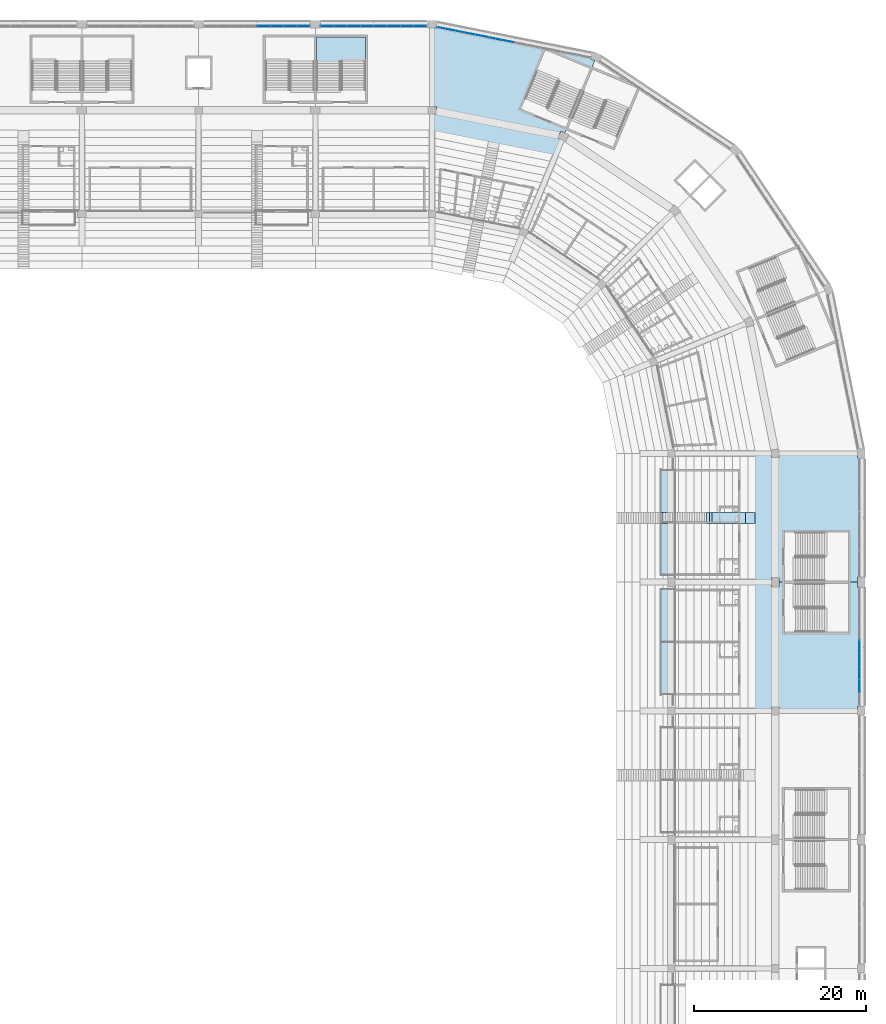
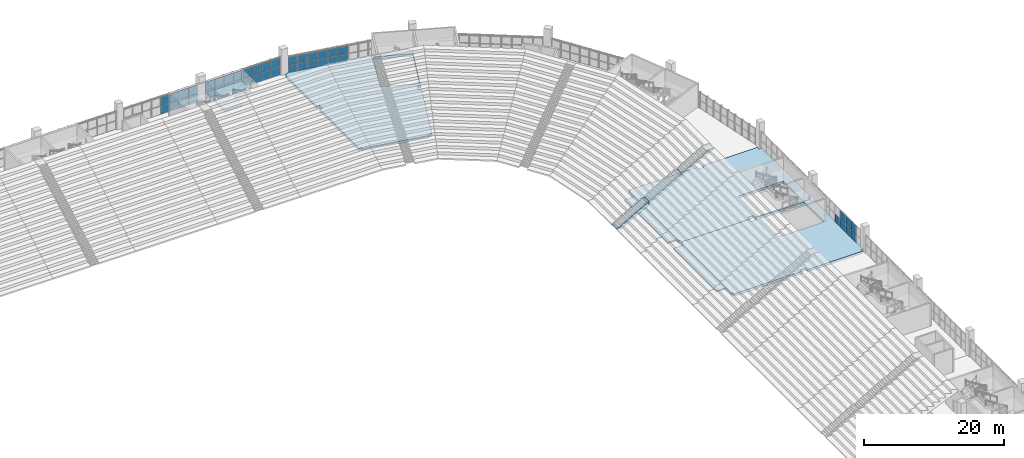
# One storey, part 81 of 249: 43 plates, 9 slabs, 5 elements without a shape of their own.
"""IFC4 building model written with IfcOpenShell, lengths in metres."""

from ifc_helpers import new_model, si_unit, direction, frame, origin, origin_2d, place, context, subcontext, project, spatial, polyline, rectangle, outline, extrude, material, layer, layer_set, type_object, element, aggregate, save


model = new_model("IFC4")

# Units and contexts
model_context = context("Model", 3, precision=1e-05, world=origin(), true_north=direction((0.0, 1.0)))
body_context = subcontext(model_context, "Body", "Model", "MODEL_VIEW")
ifc_project = project(units=[si_unit("LENGTHUNIT", "METRE"), si_unit("AREAUNIT", "SQUARE_METRE"), si_unit("VOLUMEUNIT", "CUBIC_METRE"), si_unit("PLANEANGLEUNIT", "RADIAN"), si_unit("MASSUNIT", "GRAM", prefix="KILO")], contexts=[model_context])

# Site, building, storey
site_placement = place(None, origin())
site = spatial("IfcSite", under=ifc_project, at=site_placement, CompositionType="ELEMENT")
building_placement = place(site_placement, origin())
building = spatial("IfcBuilding", under=site, at=building_placement, Name="Ogive Plaza Stadium", CompositionType="ELEMENT")
storey_placement = place(building_placement, frame((0.0, 0.0, 13.5)))
storey = spatial("IfcBuildingStorey", under=building, at=storey_placement, Name="L03", CompositionType="ELEMENT", Elevation=13.5)

# Slabs
ifc_material_1 = material(Name="Concrete C40/50", Category="concrete")
ifc_layer_1 = layer(ifc_material_1, 0.73486328125)
ifc_layer_set_1 = layer_set([ifc_layer_1], Name="Concrete C40/50")
ifc_layer_2 = layer(ifc_material_1, 0.449951171875)
ifc_layer_set_2 = layer_set([ifc_layer_2], Name="Concrete C40/50")
slab_type_1 = type_object("IfcSlabType", Name="Aisle stair slab 1300", PredefinedType="USERDEFINED", material=ifc_layer_set_2)
slab_1_placement = place(storey_placement, frame((55.5, 45.0, -13.5), z_axis=(0.0, 0.0, 1.0), x_axis=(1.0, 0.0, 0.0)))
element("IfcSlab", 1, at=slab_1_placement, inside=storey, type_object=slab_type_1, material=ifc_layer_set_1, Name="Aisle stair SA01U slab 1", ObjectType="AISLE STAIR SLAB", PredefinedType="USERDEFINED", context=body_context, shape_type="SweptSolid", body=[
    extrude(outline(polyline([(0.0, 14.0), (0.2958984375, 14.0), (5.10009765625, 16.825927734375), (5.39990234375, 16.825927734375), (5.39990234375, 16.300048828125), (5.359375, 16.27734375), (5.209228515625, 16.194091796875), (5.059326171875, 16.110595703125), (4.9091796875, 16.02734375), (4.75927734375, 15.944091796875), (4.609375, 15.860595703125), (4.459228515625, 15.77734375), (4.309326171875, 15.694091796875), (4.1591796875, 15.610595703125), (4.00927734375, 15.52734375), (3.859375, 15.444091796875), (3.709228515625, 15.360595703125), (3.559326171875, 15.27734375), (3.4091796875, 15.194091796875), (3.25927734375, 15.110595703125), (3.109375, 15.02734375), (2.959228515625, 14.944091796875), (2.809326171875, 14.860595703125), (2.6591796875, 14.77734375), (2.50927734375, 14.694091796875), (2.359375, 14.610595703125), (2.209228515625, 14.52734375), (2.059326171875, 14.444091796875), (1.9091796875, 14.360595703125), (1.75927734375, 14.27734375), (1.609375, 14.194091796875), (1.459228515625, 14.110595703125), (1.309326171875, 14.02734375), (1.1591796875, 13.944091796875), (1.00927734375, 13.860595703125), (0.859375, 13.77734375), (0.709228515625, 13.75), (0.559326171875, 13.75), (0.4091796875, 13.75), (0.25927734375, 13.75), (0.109375, 13.75), (0.0, 14.0)])), frame((0.0, 0.64990234375, 0.0), z_axis=(0.0, -1.0, 0.0), x_axis=(1.0, 0.0, 0.0)), (0.0, 0.0, 1.0), 1.300048828125),
])
ifc_layer_3 = layer(ifc_material_1, 0.75927734375)
ifc_layer_set_3 = layer_set([ifc_layer_3], Name="Concrete C40/50")
slab_2_placement = place(storey_placement, frame((60.89990234375, 45.0, -13.5), z_axis=(0.0, 0.0, 1.0), x_axis=(1.0, 0.0, 0.0)))
element("IfcSlab", 2, at=slab_2_placement, inside=storey, type_object=slab_type_1, material=ifc_layer_set_3, Name="Aisle stair SA01U slab 2", ObjectType="AISLE STAIR SLAB", PredefinedType="USERDEFINED", context=body_context, shape_type="SweptSolid", body=[
    extrude(outline(polyline([(0.0, 17.0), (0.2958984375, 17.0), (5.10009765625, 19.825927734375), (5.39990234375, 19.825927734375), (5.39990234375, 19.300048828125), (5.25, 19.216796875), (5.10009765625, 19.13330078125), (4.949951171875, 19.050048828125), (4.800048828125, 18.966796875), (4.64990234375, 18.88330078125), (4.5, 18.800048828125), (4.35009765625, 18.716796875), (4.199951171875, 18.63330078125), (4.050048828125, 18.550048828125), (3.89990234375, 18.466796875), (3.75, 18.38330078125), (3.60009765625, 18.300048828125), (3.449951171875, 18.216796875), (3.300048828125, 18.13330078125), (3.14990234375, 18.050048828125), (3.0, 17.966796875), (2.85009765625, 17.88330078125), (2.699951171875, 17.800048828125), (2.550048828125, 17.716796875), (2.39990234375, 17.63330078125), (2.25, 17.550048828125), (2.10009765625, 17.466796875), (1.949951171875, 17.38330078125), (1.800048828125, 17.300048828125), (1.64990234375, 17.216796875), (1.5, 17.13330078125), (1.35009765625, 17.050048828125), (1.199951171875, 16.966796875), (1.050048828125, 16.88330078125), (0.89990234375, 16.800048828125), (0.75, 16.716796875), (0.60009765625, 16.63330078125), (0.449951171875, 16.550048828125), (0.300048828125, 16.466796875), (0.14990234375, 16.38330078125), (0.0, 16.300048828125), (0.0, 17.0)])), frame((0.0, 0.64990234375, 0.0), z_axis=(0.0, -1.0, 0.0), x_axis=(1.0, 0.0, 0.0)), (0.0, 0.0, 1.0), 1.300048828125),
])
ifc_layer_4 = layer(ifc_material_1, 1.08056640625)
ifc_layer_set_4 = layer_set([ifc_layer_4], Name="Concrete C40/50")
slab_3_placement = place(storey_placement, frame((66.300048828125, 45.0, -13.5), z_axis=(0.0, 0.0, 1.0), x_axis=(1.0, 0.0, 0.0)))
element("IfcSlab", 3, at=slab_3_placement, inside=storey, type_object=slab_type_1, material=ifc_layer_set_4, Name="Aisle stair SA01U slab 3", ObjectType="AISLE STAIR SLAB", PredefinedType="USERDEFINED", context=body_context, shape_type="SweptSolid", body=[
    extrude(outline(polyline([(0.0, 20.0), (0.2958984375, 20.0), (4.25, 22.325927734375), (5.35009765625, 22.325927734375), (5.35009765625, 22.272216796875), (5.25, 22.216796875), (5.10009765625, 22.13330078125), (4.949951171875, 22.050048828125), (4.800048828125, 21.966796875), (4.64990234375, 21.88330078125), (4.5, 21.800048828125), (4.35009765625, 21.716796875), (4.199951171875, 21.63330078125), (4.050048828125, 21.550048828125), (3.89990234375, 21.466796875), (3.75, 21.38330078125), (3.60009765625, 21.300048828125), (3.449951171875, 21.216796875), (3.300048828125, 21.13330078125), (3.14990234375, 21.050048828125), (3.0, 20.966796875), (2.85009765625, 20.88330078125), (2.699951171875, 20.800048828125), (2.550048828125, 20.716796875), (2.39990234375, 20.63330078125), (2.25, 20.550048828125), (2.10009765625, 20.466796875), (1.949951171875, 20.38330078125), (1.800048828125, 20.300048828125), (1.64990234375, 20.216796875), (1.5, 20.13330078125), (1.35009765625, 20.050048828125), (1.199951171875, 19.966796875), (1.050048828125, 19.88330078125), (0.89990234375, 19.800048828125), (0.75, 19.716796875), (0.60009765625, 19.63330078125), (0.449951171875, 19.550048828125), (0.300048828125, 19.466796875), (0.14990234375, 19.38330078125), (0.0, 19.300048828125), (0.0, 20.0)])), frame((0.0, 0.64990234375, 0.0), z_axis=(0.0, -1.0, 0.0), x_axis=(1.0, 0.0, 0.0)), (0.0, 0.0, 1.0), 1.300048828125),
])
ifc_material_2 = material(Name="Concrete C40/50", Category="concrete")
ifc_layer_5 = layer(ifc_material_2, 0.25)
ifc_layer_set_5 = layer_set([ifc_layer_5], Name="Concrete C40/50")
slab_type_2 = type_object("IfcSlabType", Name="Balcony slab 250", PredefinedType="FLOOR", material=ifc_layer_set_5)
slab_4_placement = place(storey_placement, frame((0.0, 0.0, -0.25)))
element("IfcSlab", 4, at=slab_4_placement, inside=storey, type_object=slab_type_2, Name="Suite terrace slab B01", PredefinedType="FLOOR", context=body_context, shape_type="SweptSolid", body=[
    extrude(outline(polyline([(60.5, 38.324951171875), (62.10009765625, 38.324951171875), (62.10009765625, 50.625), (60.5, 50.625), (60.5, 38.324951171875)])), origin(), (0.0, 0.0, 1.0), 0.25),
])
slab_5_placement = place(storey_placement, frame((0.0, 0.0, -0.25)))
element("IfcSlab", 5, at=slab_5_placement, inside=storey, type_object=slab_type_2, Name="Suite terrace slab B02", PredefinedType="FLOOR", context=body_context, shape_type="SweptSolid", body=[
    extrude(outline(polyline([(60.5, 24.375), (62.10009765625, 24.375), (62.10009765625, 36.675048828125), (60.5, 36.675048828125), (60.5, 24.375)])), origin(), (0.0, 0.0, 1.0), 0.25),
])

# Curtain wall, plates
ifc_material_3 = material(Name="Bronze-anodised aluminium with laminated glass", Category="aluminium")
curtain_wall_type = type_object("IfcCurtainWallType", Name="Lancet curtain wall", PredefinedType="NOTDEFINED", material=ifc_material_3)
curtain_wall_1_placement = place(storey_placement, origin())
curtain_wall_1 = element("IfcCurtainWall", 6, at=curtain_wall_1_placement, inside=storey, type_object=curtain_wall_type, Name="CURTAIN WALL B02 L03", PredefinedType="NOTDEFINED")
ifc_material_4 = material(Name="Laminated glass", Category="glass")
ifc_layer_6 = layer(ifc_material_4, 0.028076171875)
ifc_layer_set_6 = layer_set([ifc_layer_6], Name="Laminated glass panel 28")
plate_type = type_object("IfcPlateType", Name="Laminated glass panel 28", PredefinedType="CURTAIN_PANEL", material=ifc_layer_set_6)
plate_1_placement = place(storey_placement, frame((83.800048828125, 30.0, 0.0498046875), z_axis=(0.0, 0.0, 1.0), x_axis=(0.0, -1.0, 0.0)))
plate_1 = element("IfcPlate", 7, at=plate_1_placement, type_object=plate_type, Name="CW-B02-L03 panel 5.1", PredefinedType="CURTAIN_PANEL", context=body_context, shape_type="SweptSolid", body=[
    extrude(rectangle(XDim=1.4833984375, YDim=0.028076171875, at=origin_2d()), origin(), (0.0, 0.0, 1.0), 1.469970703125),
])
plate_2_placement = place(storey_placement, frame((83.800048828125, 28.466552734375, 0.0498046875), z_axis=(0.0, 0.0, 1.0), x_axis=(0.0, -1.0, 0.0)))
plate_2 = element("IfcPlate", 8, at=plate_2_placement, type_object=plate_type, Name="CW-B02-L03 panel 6.1", PredefinedType="CURTAIN_PANEL", context=body_context, shape_type="SweptSolid", body=[
    extrude(rectangle(XDim=1.4833984375, YDim=0.028076171875, at=origin_2d()), origin(), (0.0, 0.0, 1.0), 1.469970703125),
])
plate_3_placement = place(storey_placement, frame((83.800048828125, 28.466552734375, 1.56982421875), z_axis=(0.0, 0.0, 1.0), x_axis=(0.0, -1.0, 0.0)))
plate_3 = element("IfcPlate", 9, at=plate_3_placement, type_object=plate_type, Name="CW-B02-L03 panel 6.2", PredefinedType="CURTAIN_PANEL", context=body_context, shape_type="SweptSolid", body=[
    extrude(rectangle(XDim=1.4833984375, YDim=0.028076171875, at=origin_2d()), origin(), (0.0, 0.0, 1.0), 1.469970703125),
])
plate_4_placement = place(storey_placement, frame((83.800048828125, 26.933349609375, 0.0498046875), z_axis=(0.0, 0.0, 1.0), x_axis=(0.0, -1.0, 0.0)))
plate_4 = element("IfcPlate", 10, at=plate_4_placement, type_object=plate_type, Name="CW-B02-L03 panel 7.1", PredefinedType="CURTAIN_PANEL", context=body_context, shape_type="SweptSolid", body=[
    extrude(rectangle(XDim=1.4833984375, YDim=0.028076171875, at=origin_2d()), origin(), (0.0, 0.0, 1.0), 1.469970703125),
])
plate_5_placement = place(storey_placement, frame((83.800048828125, 26.933349609375, 1.56982421875), z_axis=(0.0, 0.0, 1.0), x_axis=(0.0, -1.0, 0.0)))
plate_5 = element("IfcPlate", 11, at=plate_5_placement, type_object=plate_type, Name="CW-B02-L03 panel 7.2", PredefinedType="CURTAIN_PANEL", context=body_context, shape_type="SweptSolid", body=[
    extrude(rectangle(XDim=1.4833984375, YDim=0.028076171875, at=origin_2d()), origin(), (0.0, 0.0, 1.0), 1.469970703125),
])
plate_6_placement = place(storey_placement, frame((83.800048828125, 25.39990234375, 0.0498046875), z_axis=(0.0, 0.0, 1.0), x_axis=(0.0, -1.0, 0.0)))
plate_6 = element("IfcPlate", 12, at=plate_6_placement, type_object=plate_type, Name="CW-B02-L03 panel 8.1", PredefinedType="CURTAIN_PANEL", context=body_context, shape_type="SweptSolid", body=[
    extrude(rectangle(XDim=1.4833984375, YDim=0.028076171875, at=origin_2d()), origin(), (0.0, 0.0, 1.0), 1.469970703125),
])
plate_7_placement = place(storey_placement, frame((83.800048828125, 25.39990234375, 1.56982421875), z_axis=(0.0, 0.0, 1.0), x_axis=(0.0, -1.0, 0.0)))
plate_7 = element("IfcPlate", 13, at=plate_7_placement, type_object=plate_type, Name="CW-B02-L03 panel 8.2", PredefinedType="CURTAIN_PANEL", context=body_context, shape_type="SweptSolid", body=[
    extrude(rectangle(XDim=1.4833984375, YDim=0.028076171875, at=origin_2d()), origin(), (0.0, 0.0, 1.0), 1.469970703125),
])
aggregate(curtain_wall_1, [plate_1, plate_2, plate_3, plate_4, plate_5, plate_6, plate_7])

curtain_wall_2_placement = place(storey_placement, origin())
curtain_wall_2 = element("IfcCurtainWall", 14, at=curtain_wall_2_placement, inside=storey, type_object=curtain_wall_type, Name="CURTAIN WALL B35 L03", PredefinedType="NOTDEFINED")
plate_8_placement = place(storey_placement, frame((14.375, 102.300048828125, 0.0498046875), z_axis=(0.0, 0.0, 1.0), x_axis=(1.0, 0.0, 0.0)))
plate_8 = element("IfcPlate", 15, at=plate_8_placement, type_object=plate_type, Name="CW-B35-L03 panel 5.1", PredefinedType="CURTAIN_PANEL", context=body_context, shape_type="SweptSolid", body=[
    extrude(rectangle(XDim=1.5, YDim=0.028076171875, at=origin_2d()), origin(), (0.0, 0.0, 1.0), 1.469970703125),
])
plate_9_placement = place(storey_placement, frame((14.375, 102.300048828125, 1.56982421875), z_axis=(0.0, 0.0, 1.0), x_axis=(1.0, 0.0, 0.0)))
plate_9 = element("IfcPlate", 16, at=plate_9_placement, type_object=plate_type, Name="CW-B35-L03 panel 5.2", PredefinedType="CURTAIN_PANEL", context=body_context, shape_type="SweptSolid", body=[
    extrude(rectangle(XDim=1.5, YDim=0.028076171875, at=origin_2d()), origin(), (0.0, 0.0, 1.0), 1.469970703125),
])
plate_10_placement = place(storey_placement, frame((15.925048828125, 102.300048828125, 0.0498046875), z_axis=(0.0, 0.0, 1.0), x_axis=(1.0, 0.0, 0.0)))
plate_10 = element("IfcPlate", 17, at=plate_10_placement, type_object=plate_type, Name="CW-B35-L03 panel 6.1", PredefinedType="CURTAIN_PANEL", context=body_context, shape_type="SweptSolid", body=[
    extrude(rectangle(XDim=1.5, YDim=0.028076171875, at=origin_2d()), origin(), (0.0, 0.0, 1.0), 1.469970703125),
])
plate_11_placement = place(storey_placement, frame((15.925048828125, 102.300048828125, 1.56982421875), z_axis=(0.0, 0.0, 1.0), x_axis=(1.0, 0.0, 0.0)))
plate_11 = element("IfcPlate", 18, at=plate_11_placement, type_object=plate_type, Name="CW-B35-L03 panel 6.2", PredefinedType="CURTAIN_PANEL", context=body_context, shape_type="SweptSolid", body=[
    extrude(rectangle(XDim=1.5, YDim=0.028076171875, at=origin_2d()), origin(), (0.0, 0.0, 1.0), 1.469970703125),
])
plate_12_placement = place(storey_placement, frame((17.47509765625, 102.300048828125, 0.0498046875), z_axis=(0.0, 0.0, 1.0), x_axis=(1.0, 0.0, 0.0)))
plate_12 = element("IfcPlate", 19, at=plate_12_placement, type_object=plate_type, Name="CW-B35-L03 panel 7.1", PredefinedType="CURTAIN_PANEL", context=body_context, shape_type="SweptSolid", body=[
    extrude(rectangle(XDim=1.5, YDim=0.028076171875, at=origin_2d()), origin(), (0.0, 0.0, 1.0), 1.469970703125),
])
plate_13_placement = place(storey_placement, frame((17.47509765625, 102.300048828125, 1.56982421875), z_axis=(0.0, 0.0, 1.0), x_axis=(1.0, 0.0, 0.0)))
plate_13 = element("IfcPlate", 20, at=plate_13_placement, type_object=plate_type, Name="CW-B35-L03 panel 7.2", PredefinedType="CURTAIN_PANEL", context=body_context, shape_type="SweptSolid", body=[
    extrude(rectangle(XDim=1.5, YDim=0.028076171875, at=origin_2d()), origin(), (0.0, 0.0, 1.0), 1.469970703125),
])
plate_14_placement = place(storey_placement, frame((19.012451171875, 102.300048828125, 0.0498046875), z_axis=(0.0, 0.0, 1.0), x_axis=(1.0, 0.0, 0.0)))
plate_14 = element("IfcPlate", 21, at=plate_14_placement, type_object=plate_type, Name="CW-B35-L03 panel 8.1", PredefinedType="CURTAIN_PANEL", context=body_context, shape_type="SweptSolid", body=[
    extrude(rectangle(XDim=1.47509765625, YDim=0.028076171875, at=origin_2d()), origin(), (0.0, 0.0, 1.0), 1.469970703125),
])
plate_15_placement = place(storey_placement, frame((19.012451171875, 102.300048828125, 1.56982421875), z_axis=(0.0, 0.0, 1.0), x_axis=(1.0, 0.0, 0.0)))
plate_15 = element("IfcPlate", 22, at=plate_15_placement, type_object=plate_type, Name="CW-B35-L03 panel 8.2", PredefinedType="CURTAIN_PANEL", context=body_context, shape_type="SweptSolid", body=[
    extrude(rectangle(XDim=1.47509765625, YDim=0.028076171875, at=origin_2d()), origin(), (0.0, 0.0, 1.0), 1.469970703125),
])
aggregate(curtain_wall_2, [plate_8, plate_9, plate_10, plate_11, plate_12, plate_13, plate_14, plate_15])

curtain_wall_3_placement = place(storey_placement, origin())
curtain_wall_3 = element("IfcCurtainWall", 23, at=curtain_wall_3_placement, inside=storey, type_object=curtain_wall_type, Name="CURTAIN WALL B36 L03", PredefinedType="NOTDEFINED")
plate_16_placement = place(storey_placement, frame((21.78759765625, 102.300048828125, 0.0498046875), z_axis=(0.0, 0.0, 1.0), x_axis=(1.0, 0.0, 0.0)))
plate_16 = element("IfcPlate", 24, at=plate_16_placement, type_object=plate_type, Name="CW-B36-L03 panel 1.1", PredefinedType="CURTAIN_PANEL", context=body_context, shape_type="SweptSolid", body=[
    extrude(rectangle(XDim=1.47509765625, YDim=0.028076171875, at=origin_2d()), origin(), (0.0, 0.0, 1.0), 1.469970703125),
])
plate_17_placement = place(storey_placement, frame((21.78759765625, 102.300048828125, 1.56982421875), z_axis=(0.0, 0.0, 1.0), x_axis=(1.0, 0.0, 0.0)))
plate_17 = element("IfcPlate", 25, at=plate_17_placement, type_object=plate_type, Name="CW-B36-L03 panel 1.2", PredefinedType="CURTAIN_PANEL", context=body_context, shape_type="SweptSolid", body=[
    extrude(rectangle(XDim=1.47509765625, YDim=0.028076171875, at=origin_2d()), origin(), (0.0, 0.0, 1.0), 1.469970703125),
])
plate_18_placement = place(storey_placement, frame((23.324951171875, 102.300048828125, 0.0498046875), z_axis=(0.0, 0.0, 1.0), x_axis=(1.0, 0.0, 0.0)))
plate_18 = element("IfcPlate", 26, at=plate_18_placement, type_object=plate_type, Name="CW-B36-L03 panel 2.1", PredefinedType="CURTAIN_PANEL", context=body_context, shape_type="SweptSolid", body=[
    extrude(rectangle(XDim=1.5, YDim=0.028076171875, at=origin_2d()), origin(), (0.0, 0.0, 1.0), 1.469970703125),
])
plate_19_placement = place(storey_placement, frame((23.324951171875, 102.300048828125, 1.56982421875), z_axis=(0.0, 0.0, 1.0), x_axis=(1.0, 0.0, 0.0)))
plate_19 = element("IfcPlate", 27, at=plate_19_placement, type_object=plate_type, Name="CW-B36-L03 panel 2.2", PredefinedType="CURTAIN_PANEL", context=body_context, shape_type="SweptSolid", body=[
    extrude(rectangle(XDim=1.5, YDim=0.028076171875, at=origin_2d()), origin(), (0.0, 0.0, 1.0), 1.469970703125),
])
plate_20_placement = place(storey_placement, frame((24.875, 102.300048828125, 0.0498046875), z_axis=(0.0, 0.0, 1.0), x_axis=(1.0, 0.0, 0.0)))
plate_20 = element("IfcPlate", 28, at=plate_20_placement, type_object=plate_type, Name="CW-B36-L03 panel 3.1", PredefinedType="CURTAIN_PANEL", context=body_context, shape_type="SweptSolid", body=[
    extrude(rectangle(XDim=1.5, YDim=0.028076171875, at=origin_2d()), origin(), (0.0, 0.0, 1.0), 1.469970703125),
])
plate_21_placement = place(storey_placement, frame((24.875, 102.300048828125, 1.56982421875), z_axis=(0.0, 0.0, 1.0), x_axis=(1.0, 0.0, 0.0)))
plate_21 = element("IfcPlate", 29, at=plate_21_placement, type_object=plate_type, Name="CW-B36-L03 panel 3.2", PredefinedType="CURTAIN_PANEL", context=body_context, shape_type="SweptSolid", body=[
    extrude(rectangle(XDim=1.5, YDim=0.028076171875, at=origin_2d()), origin(), (0.0, 0.0, 1.0), 1.469970703125),
])
plate_22_placement = place(storey_placement, frame((26.425048828125, 102.300048828125, 0.0498046875), z_axis=(0.0, 0.0, 1.0), x_axis=(1.0, 0.0, 0.0)))
plate_22 = element("IfcPlate", 30, at=plate_22_placement, type_object=plate_type, Name="CW-B36-L03 panel 4.1", PredefinedType="CURTAIN_PANEL", context=body_context, shape_type="SweptSolid", body=[
    extrude(rectangle(XDim=1.5, YDim=0.028076171875, at=origin_2d()), origin(), (0.0, 0.0, 1.0), 1.469970703125),
])
plate_23_placement = place(storey_placement, frame((26.425048828125, 102.300048828125, 1.56982421875), z_axis=(0.0, 0.0, 1.0), x_axis=(1.0, 0.0, 0.0)))
plate_23 = element("IfcPlate", 31, at=plate_23_placement, type_object=plate_type, Name="CW-B36-L03 panel 4.2", PredefinedType="CURTAIN_PANEL", context=body_context, shape_type="SweptSolid", body=[
    extrude(rectangle(XDim=1.5, YDim=0.028076171875, at=origin_2d()), origin(), (0.0, 0.0, 1.0), 1.469970703125),
])
plate_24_placement = place(storey_placement, frame((27.97509765625, 102.300048828125, 0.0498046875), z_axis=(0.0, 0.0, 1.0), x_axis=(1.0, 0.0, 0.0)))
plate_24 = element("IfcPlate", 32, at=plate_24_placement, type_object=plate_type, Name="CW-B36-L03 panel 5.1", PredefinedType="CURTAIN_PANEL", context=body_context, shape_type="SweptSolid", body=[
    extrude(rectangle(XDim=1.5, YDim=0.028076171875, at=origin_2d()), origin(), (0.0, 0.0, 1.0), 1.469970703125),
])
plate_25_placement = place(storey_placement, frame((27.97509765625, 102.300048828125, 1.56982421875), z_axis=(0.0, 0.0, 1.0), x_axis=(1.0, 0.0, 0.0)))
plate_25 = element("IfcPlate", 33, at=plate_25_placement, type_object=plate_type, Name="CW-B36-L03 panel 5.2", PredefinedType="CURTAIN_PANEL", context=body_context, shape_type="SweptSolid", body=[
    extrude(rectangle(XDim=1.5, YDim=0.028076171875, at=origin_2d()), origin(), (0.0, 0.0, 1.0), 1.469970703125),
])
plate_26_placement = place(storey_placement, frame((29.52490234375, 102.300048828125, 0.0498046875), z_axis=(0.0, 0.0, 1.0), x_axis=(1.0, 0.0, 0.0)))
plate_26 = element("IfcPlate", 34, at=plate_26_placement, type_object=plate_type, Name="CW-B36-L03 panel 6.1", PredefinedType="CURTAIN_PANEL", context=body_context, shape_type="SweptSolid", body=[
    extrude(rectangle(XDim=1.5, YDim=0.028076171875, at=origin_2d()), origin(), (0.0, 0.0, 1.0), 1.469970703125),
])
plate_27_placement = place(storey_placement, frame((29.52490234375, 102.300048828125, 1.56982421875), z_axis=(0.0, 0.0, 1.0), x_axis=(1.0, 0.0, 0.0)))
plate_27 = element("IfcPlate", 35, at=plate_27_placement, type_object=plate_type, Name="CW-B36-L03 panel 6.2", PredefinedType="CURTAIN_PANEL", context=body_context, shape_type="SweptSolid", body=[
    extrude(rectangle(XDim=1.5, YDim=0.028076171875, at=origin_2d()), origin(), (0.0, 0.0, 1.0), 1.469970703125),
])
plate_28_placement = place(storey_placement, frame((31.074951171875, 102.300048828125, 0.0498046875), z_axis=(0.0, 0.0, 1.0), x_axis=(1.0, 0.0, 0.0)))
plate_28 = element("IfcPlate", 36, at=plate_28_placement, type_object=plate_type, Name="CW-B36-L03 panel 7.1", PredefinedType="CURTAIN_PANEL", context=body_context, shape_type="SweptSolid", body=[
    extrude(rectangle(XDim=1.5, YDim=0.028076171875, at=origin_2d()), origin(), (0.0, 0.0, 1.0), 1.469970703125),
])
plate_29_placement = place(storey_placement, frame((31.074951171875, 102.300048828125, 1.56982421875), z_axis=(0.0, 0.0, 1.0), x_axis=(1.0, 0.0, 0.0)))
plate_29 = element("IfcPlate", 37, at=plate_29_placement, type_object=plate_type, Name="CW-B36-L03 panel 7.2", PredefinedType="CURTAIN_PANEL", context=body_context, shape_type="SweptSolid", body=[
    extrude(rectangle(XDim=1.5, YDim=0.028076171875, at=origin_2d()), origin(), (0.0, 0.0, 1.0), 1.469970703125),
])
plate_30_placement = place(storey_placement, frame((32.612548828125, 102.300048828125, 0.0498046875), z_axis=(0.0, 0.0, 1.0), x_axis=(1.0, 0.0, 0.0)))
plate_30 = element("IfcPlate", 38, at=plate_30_placement, type_object=plate_type, Name="CW-B36-L03 panel 8.1", PredefinedType="CURTAIN_PANEL", context=body_context, shape_type="SweptSolid", body=[
    extrude(rectangle(XDim=1.47509765625, YDim=0.028076171875, at=origin_2d()), origin(), (0.0, 0.0, 1.0), 1.469970703125),
])
plate_31_placement = place(storey_placement, frame((32.612548828125, 102.300048828125, 1.56982421875), z_axis=(0.0, 0.0, 1.0), x_axis=(1.0, 0.0, 0.0)))
plate_31 = element("IfcPlate", 39, at=plate_31_placement, type_object=plate_type, Name="CW-B36-L03 panel 8.2", PredefinedType="CURTAIN_PANEL", context=body_context, shape_type="SweptSolid", body=[
    extrude(rectangle(XDim=1.47509765625, YDim=0.028076171875, at=origin_2d()), origin(), (0.0, 0.0, 1.0), 1.469970703125),
])
aggregate(curtain_wall_3, [plate_16, plate_17, plate_18, plate_19, plate_20, plate_21, plate_22, plate_23, plate_24, plate_25, plate_26, plate_27, plate_28, plate_29, plate_30, plate_31])

curtain_wall_4_placement = place(storey_placement, origin())
curtain_wall_4 = element("IfcCurtainWall", 40, at=curtain_wall_4_placement, inside=storey, type_object=curtain_wall_type, Name="CURTAIN WALL B37 L03", PredefinedType="NOTDEFINED")
plate_32_placement = place(storey_placement, frame((35.328369140625, 102.031982421875, 0.0498046875), z_axis=(0.0, 0.0, 1.0), x_axis=(0.9807852804, -0.195090322033, 0.0)))
plate_32 = element("IfcPlate", 41, at=plate_32_placement, type_object=plate_type, Name="CW-B37-L03 panel 1.1", PredefinedType="CURTAIN_PANEL", context=body_context, shape_type="SweptSolid", body=[
    extrude(rectangle(XDim=1.447265625, YDim=0.028076171875, at=origin_2d()), origin(), (0.0, 0.0, 1.0), 1.320068359375),
])
plate_33_placement = place(storey_placement, frame((35.328369140625, 102.031982421875, 1.419921875), z_axis=(0.0, 0.0, 1.0), x_axis=(0.9807852804, -0.195090322033, 0.0)))
plate_33 = element("IfcPlate", 42, at=plate_33_placement, type_object=plate_type, Name="CW-B37-L03 panel 1.2", PredefinedType="CURTAIN_PANEL", context=body_context, shape_type="SweptSolid", body=[
    extrude(rectangle(XDim=1.447265625, YDim=0.028076171875, at=origin_2d()), origin(), (0.0, 0.0, 1.0), 1.320068359375),
])
plate_34_placement = place(storey_placement, frame((36.80908203125, 101.7373046875, 0.0498046875), z_axis=(0.0, 0.0, 1.0), x_axis=(0.9807852804, -0.195090322033, 0.0)))
plate_34 = element("IfcPlate", 43, at=plate_34_placement, type_object=plate_type, Name="CW-B37-L03 panel 2.1", PredefinedType="CURTAIN_PANEL", context=body_context, shape_type="SweptSolid", body=[
    extrude(rectangle(XDim=1.472412109375, YDim=0.028076171875, at=origin_2d()), origin(), (0.0, 0.0, 1.0), 1.320068359375),
])
plate_35_placement = place(storey_placement, frame((36.80908203125, 101.7373046875, 1.419921875), z_axis=(0.0, 0.0, 1.0), x_axis=(0.9807852804, -0.195090322033, 0.0)))
plate_35 = element("IfcPlate", 44, at=plate_35_placement, type_object=plate_type, Name="CW-B37-L03 panel 2.2", PredefinedType="CURTAIN_PANEL", context=body_context, shape_type="SweptSolid", body=[
    extrude(rectangle(XDim=1.472412109375, YDim=0.028076171875, at=origin_2d()), origin(), (0.0, 0.0, 1.0), 1.320068359375),
])
plate_36_placement = place(storey_placement, frame((38.30224609375, 101.4404296875, 0.0498046875), z_axis=(0.0, 0.0, 1.0), x_axis=(0.9807852804, -0.195090322033, 0.0)))
plate_36 = element("IfcPlate", 45, at=plate_36_placement, type_object=plate_type, Name="CW-B37-L03 panel 3.1", PredefinedType="CURTAIN_PANEL", context=body_context, shape_type="SweptSolid", body=[
    extrude(rectangle(XDim=1.472412109375, YDim=0.028076171875, at=origin_2d()), origin(), (0.0, 0.0, 1.0), 1.320068359375),
])
plate_37_placement = place(storey_placement, frame((38.30224609375, 101.4404296875, 1.419921875), z_axis=(0.0, 0.0, 1.0), x_axis=(0.9807852804, -0.195090322033, 0.0)))
plate_37 = element("IfcPlate", 46, at=plate_37_placement, type_object=plate_type, Name="CW-B37-L03 panel 3.2", PredefinedType="CURTAIN_PANEL", context=body_context, shape_type="SweptSolid", body=[
    extrude(rectangle(XDim=1.472412109375, YDim=0.028076171875, at=origin_2d()), origin(), (0.0, 0.0, 1.0), 1.320068359375),
])
plate_38_placement = place(storey_placement, frame((39.79541015625, 101.143310546875, 0.0498046875), z_axis=(0.0, 0.0, 1.0), x_axis=(0.9807852804, -0.195090322033, 0.0)))
plate_38 = element("IfcPlate", 47, at=plate_38_placement, type_object=plate_type, Name="CW-B37-L03 panel 4.1", PredefinedType="CURTAIN_PANEL", context=body_context, shape_type="SweptSolid", body=[
    extrude(rectangle(XDim=1.472412109375, YDim=0.028076171875, at=origin_2d()), origin(), (0.0, 0.0, 1.0), 1.320068359375),
])
plate_39_placement = place(storey_placement, frame((39.79541015625, 101.143310546875, 1.419921875), z_axis=(0.0, 0.0, 1.0), x_axis=(0.9807852804, -0.195090322033, 0.0)))
plate_39 = element("IfcPlate", 48, at=plate_39_placement, type_object=plate_type, Name="CW-B37-L03 panel 4.2", PredefinedType="CURTAIN_PANEL", context=body_context, shape_type="SweptSolid", body=[
    extrude(rectangle(XDim=1.472412109375, YDim=0.028076171875, at=origin_2d()), origin(), (0.0, 0.0, 1.0), 1.320068359375),
])
plate_40_placement = place(storey_placement, frame((41.288330078125, 100.846435546875, 0.0498046875), z_axis=(0.0, 0.0, 1.0), x_axis=(0.9807852804, -0.195090322033, 0.0)))
plate_40 = element("IfcPlate", 49, at=plate_40_placement, type_object=plate_type, Name="CW-B37-L03 panel 5.1", PredefinedType="CURTAIN_PANEL", context=body_context, shape_type="SweptSolid", body=[
    extrude(rectangle(XDim=1.472412109375, YDim=0.028076171875, at=origin_2d()), origin(), (0.0, 0.0, 1.0), 1.320068359375),
])
plate_41_placement = place(storey_placement, frame((41.288330078125, 100.846435546875, 1.419921875), z_axis=(0.0, 0.0, 1.0), x_axis=(0.9807852804, -0.195090322033, 0.0)))
plate_41 = element("IfcPlate", 50, at=plate_41_placement, type_object=plate_type, Name="CW-B37-L03 panel 5.2", PredefinedType="CURTAIN_PANEL", context=body_context, shape_type="SweptSolid", body=[
    extrude(rectangle(XDim=1.472412109375, YDim=0.028076171875, at=origin_2d()), origin(), (0.0, 0.0, 1.0), 1.320068359375),
])
plate_42_placement = place(storey_placement, frame((42.781494140625, 100.54931640625, 0.0498046875), z_axis=(0.0, 0.0, 1.0), x_axis=(0.9807852804, -0.195090322033, 0.0)))
plate_42 = element("IfcPlate", 51, at=plate_42_placement, type_object=plate_type, Name="CW-B37-L03 panel 6.1", PredefinedType="CURTAIN_PANEL", context=body_context, shape_type="SweptSolid", body=[
    extrude(rectangle(XDim=1.472412109375, YDim=0.028076171875, at=origin_2d()), origin(), (0.0, 0.0, 1.0), 1.320068359375),
])
plate_43_placement = place(storey_placement, frame((42.781494140625, 100.54931640625, 1.419921875), z_axis=(0.0, 0.0, 1.0), x_axis=(0.9807852804, -0.195090322033, 0.0)))
plate_43 = element("IfcPlate", 52, at=plate_43_placement, type_object=plate_type, Name="CW-B37-L03 panel 6.2", PredefinedType="CURTAIN_PANEL", context=body_context, shape_type="SweptSolid", body=[
    extrude(rectangle(XDim=1.472412109375, YDim=0.028076171875, at=origin_2d()), origin(), (0.0, 0.0, 1.0), 1.320068359375),
])
aggregate(curtain_wall_4, [plate_32, plate_33, plate_34, plate_35, plate_36, plate_37, plate_38, plate_39, plate_40, plate_41, plate_42, plate_43])

# Slabs
ifc_material_5 = material(Name="Concrete C40/50", Category="concrete")
ifc_layer_7 = layer(ifc_material_5, 0.409912109375)
ifc_layer_set_7 = layer_set([ifc_layer_7], Name="Concrete C40/50")
slab_type_3 = type_object("IfcSlabType", Name="RC floor slab 410", PredefinedType="FLOOR", material=ifc_layer_set_7)
slab_6_placement = place(storey_placement, frame((0.0, 0.0, -0.409912109375)))
element("IfcSlab", 53, at=slab_6_placement, inside=storey, type_object=slab_type_3, Name="Floor slab L03 B01", PredefinedType="FLOOR", context=body_context, shape_type="SweptSolid", body=[
    extrude(outline(polyline([(73.550048828125, 37.5), (73.550048828125, 38.050048828125), (74.449951171875, 38.050048828125), (74.449951171875, 37.5), (83.550048828125, 37.5), (83.550048828125, 38.10009765625), (84.0, 38.10009765625), (84.0, 52.0), (83.550048828125, 52.0), (83.550048828125, 52.5), (74.449951171875, 52.5), (74.449951171875, 52.050048828125), (73.550048828125, 52.050048828125), (73.550048828125, 52.5), (62.300048828125, 52.5), (62.300048828125, 52.10009765625), (62.10009765625, 52.10009765625), (62.10009765625, 38.0), (62.300048828125, 38.0), (62.300048828125, 37.5), (73.550048828125, 37.5)]), holes=[polyline([(75.050048828125, 43.324951171875), (75.050048828125, 37.625), (82.510009765625, 37.625), (82.510009765625, 43.324951171875), (75.050048828125, 43.324951171875)])]), origin(), (0.0, 0.0, 1.0), 0.409912109375),
])
slab_7_placement = place(storey_placement, frame((0.0, 0.0, -0.409912109375)))
element("IfcSlab", 54, at=slab_7_placement, inside=storey, type_object=slab_type_3, Name="Floor slab L03 B02", PredefinedType="FLOOR", context=body_context, shape_type="SweptSolid", body=[
    extrude(outline(polyline([(73.550048828125, 22.5), (73.550048828125, 22.949951171875), (74.449951171875, 22.949951171875), (74.449951171875, 22.5), (83.550048828125, 22.5), (83.550048828125, 23.0), (84.0, 23.0), (84.0, 36.89990234375), (83.550048828125, 36.89990234375), (83.550048828125, 37.5), (74.449951171875, 37.5), (74.449951171875, 36.949951171875), (73.550048828125, 36.949951171875), (73.550048828125, 37.5), (62.300048828125, 37.5), (62.300048828125, 37.0), (62.10009765625, 37.0), (62.10009765625, 22.89990234375), (62.300048828125, 22.89990234375), (62.300048828125, 22.5), (73.550048828125, 22.5)]), holes=[polyline([(75.050048828125, 37.375), (75.050048828125, 31.675048828125), (82.510009765625, 31.675048828125), (82.510009765625, 37.375), (75.050048828125, 37.375)])]), origin(), (0.0, 0.0, 1.0), 0.409912109375),
])
slab_8_placement = place(storey_placement, frame((0.0, 0.0, -0.409912109375)))
element("IfcSlab", 55, at=slab_8_placement, inside=storey, type_object=slab_type_3, Name="Floor slab L03 B37", PredefinedType="FLOOR", context=body_context, shape_type="SweptSolid", body=[
    extrude(outline(polyline([(49.135009765625, 89.03955078125), (48.673095703125, 89.230712890625), (49.017578125, 90.062255859375), (49.4794921875, 89.870849609375), (52.9619140625, 98.2783203125), (52.453857421875, 98.48876953125), (52.584228515625, 98.803466796875), (34.5, 102.400634765625), (34.5, 102.050048828125), (34.0, 102.050048828125), (34.0, 92.949951171875), (34.449951171875, 92.949951171875), (34.449951171875, 92.050048828125), (34.0, 92.050048828125), (34.0, 80.800048828125), (34.39990234375, 80.800048828125), (34.39990234375, 80.5205078125), (44.303466796875, 78.550537109375), (44.414306640625, 78.818115234375), (44.829833984375, 78.645751953125), (49.135009765625, 89.03955078125)]), holes=[polyline([(44.32763671875, 92.654296875), (49.59375, 90.47314453125), (52.448486328125, 97.365234375), (47.182373046875, 99.546630859375), (44.32763671875, 92.654296875)])]), origin(), (0.0, 0.0, 1.0), 0.409912109375),
])

# Stair, slab
ifc_material_6 = material(Name="Concrete C40/50", Category="concrete")
stair_type = type_object("IfcStairType", Name="Exit stair", PredefinedType="STRAIGHT_RUN_STAIR", material=ifc_material_6)
stair_placement = place(storey_placement, origin())
stair = element("IfcStair", 56, at=stair_placement, inside=storey, type_object=stair_type, Name="Exit stair ST36A L03 to L04", PredefinedType="STRAIGHT_RUN_STAIR")
ifc_material_7 = material(Name="Concrete C40/50", Category="concrete")
ifc_layer_8 = layer(ifc_material_7, 0.39990234375)
ifc_layer_set_8 = layer_set([ifc_layer_8], Name="Concrete C40/50")
slab_type_4 = type_object("IfcSlabType", Name="Stair landing", PredefinedType="LANDING", material=ifc_layer_set_8)
slab_9_placement = place(storey_placement, frame((0.0, 0.0, 1.85009765625)))
slab_9 = element("IfcSlab", 57, at=slab_9_placement, type_object=slab_type_4, Name="ST36A landing 1", PredefinedType="LANDING", context=body_context, shape_type="SweptSolid", body=[
    extrude(outline(polyline([(20.52490234375, 101.010009765625), (26.22509765625, 101.010009765625), (26.22509765625, 98.2099609375), (23.324951171875, 98.2099609375), (23.324951171875, 95.81005859375), (20.52490234375, 95.81005859375), (20.52490234375, 98.2099609375), (20.52490234375, 101.010009765625)])), origin(), (0.0, 0.0, 1.0), 0.39990234375),
])
aggregate(stair, [slab_9])

save(model, "model.ifc")
